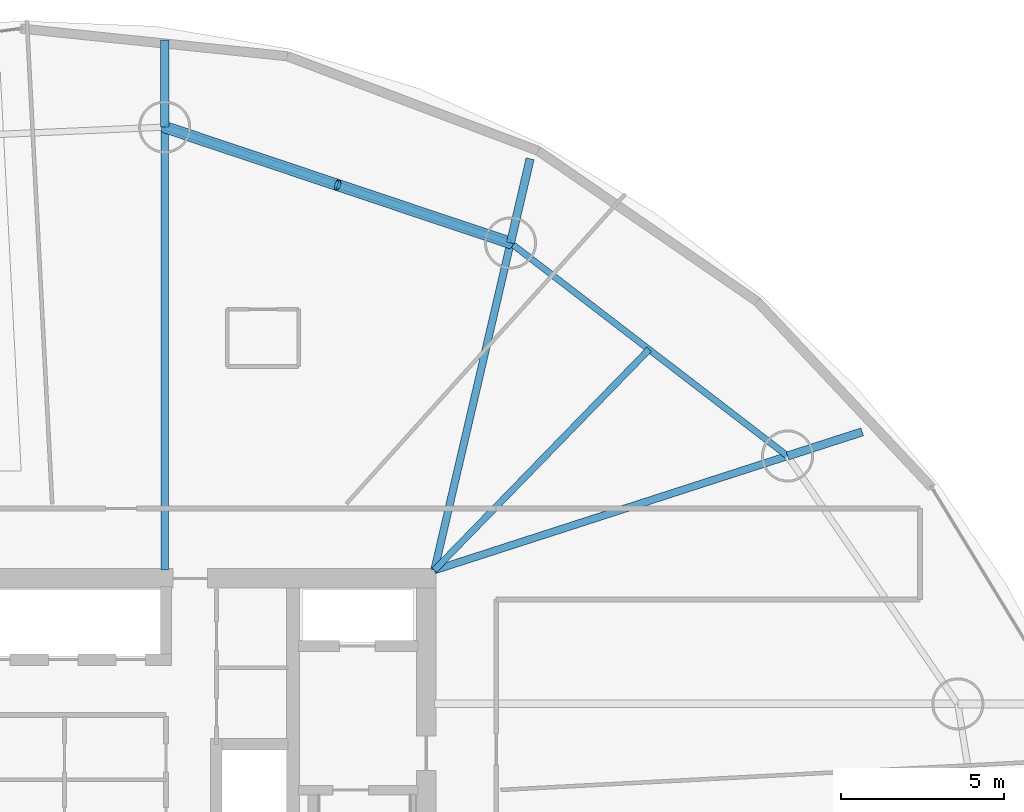
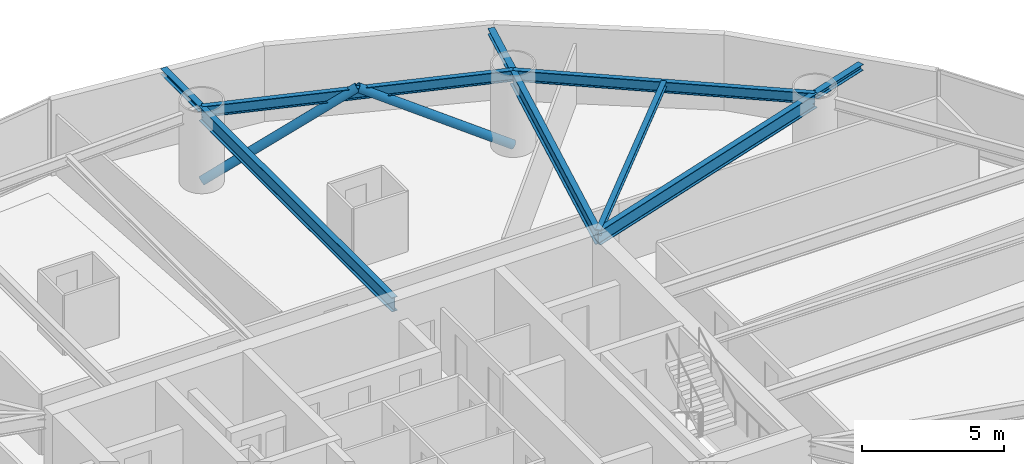
# One storey, part 20 of 30: 9 beams, 2 members.
"""IFC4 building model written with IfcOpenShell, lengths in metres."""

from ifc_helpers import new_model, si_unit, direction, frame, origin, origin_2d, place, context, subcontext, project, spatial, hollow_circle, i_section, extrude, material, material_profile, profile_set, type_object, element, save


model = new_model("IFC4")

# Units and contexts
model_context = context("Model", 3, precision=1e-05, world=origin(), true_north=direction((0.0, 1.0)))
body_context = subcontext(model_context, "Body", "Model", "MODEL_VIEW")
ifc_project = project(units=[si_unit("LENGTHUNIT", "METRE"), si_unit("AREAUNIT", "SQUARE_METRE"), si_unit("VOLUMEUNIT", "CUBIC_METRE"), si_unit("PLANEANGLEUNIT", "RADIAN"), si_unit("MASSUNIT", "GRAM", prefix="KILO")], contexts=[model_context])

# Site, building, storey
site_placement = place(None, origin())
site = spatial("IfcSite", under=ifc_project, at=site_placement, CompositionType="ELEMENT")
building_placement = place(site_placement, origin())
building = spatial("IfcBuilding", under=site, at=building_placement, Name="Bramvorn Convention Spire", CompositionType="ELEMENT")
storey_placement = place(building_placement, frame((0.0, 0.0, 86.89990234375)))
storey = spatial("IfcBuildingStorey", under=building, at=storey_placement, Name="L20", CompositionType="ELEMENT", Elevation=86.89990234375)

# Beams
ifc_material = material(Name="Steel CSA G40.21 Grade 350 (350W)", Category="steel")
ifc_material_profile_1 = material_profile(ifc_material, i_section(OverallWidth=0.201904296875, OverallDepth=0.2470703125, WebThickness=0.00732421875, FlangeThickness=0.010986328125, FilletRadius=0.011962890625, at=origin_2d()))
ifc_profile_set_1 = profile_set([ifc_material_profile_1], Name="Steel CSA G40.21 Grade 350 (350W) - W250X49")
beam_type_1 = type_object("IfcBeamType", Name="BM-W250X49", PredefinedType="JOIST", material=ifc_profile_set_1)
beam_1_placement = place(storey_placement, frame((49.25, 33.449951171875, 3.126708984375), z_axis=(0.697170484005, 0.716905374671, 0.0), x_axis=(-0.716905374671, 0.697170484005, 0.0)))
element("IfcBeam", 1, at=beam_1_placement, inside=storey, type_object=beam_type_1, Name="L20 composite floor joist 03", PredefinedType="JOIST", context=body_context, shape_type="SweptSolid", body=[
    extrude(i_section(OverallWidth=0.201904296875, OverallDepth=0.2470703125, WebThickness=0.00732421875, FlangeThickness=0.010986328125, FilletRadius=0.011962890625, at=origin_2d()), origin(), (0.0, 0.0, 1.0), 9.4638671875),
])
ifc_material_profile_2 = material_profile(ifc_material, i_section(OverallWidth=0.25390625, OverallDepth=0.2529296875, WebThickness=0.008544921875, FlangeThickness=0.01416015625, FilletRadius=0.011962890625, at=origin_2d()))
ifc_profile_set_2 = profile_set([ifc_material_profile_2], Name="Steel CSA G40.21 Grade 350 (350W) - W250X73")
beam_type_2 = type_object("IfcBeamType", Name="BM-W250X73", PredefinedType="BEAM", material=ifc_profile_set_2)
beam_2_placement = place(storey_placement, frame((60.105224609375, 36.960205078125, 3.12353515625), z_axis=(0.951491631437, 0.30767462571, 0.0), x_axis=(-0.30767462571, 0.951491631437, 0.0)))
element("IfcBeam", 2, at=beam_2_placement, inside=storey, type_object=beam_type_2, Name="L20 slab-edge cantilever tip beam MC03", PredefinedType="BEAM", context=body_context, shape_type="SweptSolid", body=[
    extrude(i_section(OverallWidth=0.25390625, OverallDepth=0.2529296875, WebThickness=0.008544921875, FlangeThickness=0.01416015625, FilletRadius=0.011962890625, at=origin_2d()), origin(), (0.0, 0.0, 1.0), 2.409912109375),
])
beam_3_placement = place(storey_placement, frame((51.59033203125, 43.509033203125, 3.12353515625), z_axis=(0.226558123533, 0.973997647154, 0.0), x_axis=(-0.973997647154, 0.226558123533, 0.0)))
element("IfcBeam", 3, at=beam_3_placement, inside=storey, type_object=beam_type_2, Name="L20 slab-edge cantilever tip beam MC04", PredefinedType="BEAM", context=body_context, shape_type="SweptSolid", body=[
    extrude(i_section(OverallWidth=0.25390625, OverallDepth=0.2529296875, WebThickness=0.008544921875, FlangeThickness=0.01416015625, FilletRadius=0.011962890625, at=origin_2d()), origin(), (0.0, 0.0, 1.0), 2.6552734375),
])
beam_4_placement = place(storey_placement, frame((40.9609375, 47.06884765625, 3.12353515625), z_axis=(0.0, 1.0, 0.0), x_axis=(-1.0, 0.0, 0.0)))
element("IfcBeam", 4, at=beam_4_placement, inside=storey, type_object=beam_type_2, Name="L20 slab-edge cantilever tip beam MC05", PredefinedType="BEAM", context=body_context, shape_type="SweptSolid", body=[
    extrude(i_section(OverallWidth=0.25390625, OverallDepth=0.2529296875, WebThickness=0.008544921875, FlangeThickness=0.01416015625, FilletRadius=0.011962890625, at=origin_2d()), origin(), (0.0, 0.0, 1.0), 2.679443359375),
])
ifc_material_profile_3 = material_profile(ifc_material, i_section(OverallWidth=0.194091796875, OverallDepth=0.468994140625, WebThickness=0.0126953125, FlangeThickness=0.0205078125, FilletRadius=0.01806640625, at=origin_2d()))
ifc_profile_set_3 = profile_set([ifc_material_profile_3], Name="Steel CSA G40.21 Grade 350 (350W) - W460X106")
beam_type_3 = type_object("IfcBeamType", Name="BM-W460X106", PredefinedType="SPANDREL", material=ifc_profile_set_3)
beam_5_placement = place(storey_placement, frame((60.105224609375, 36.960205078125, 3.015625), z_axis=(-0.792672990445, 0.609647053809, 0.0), x_axis=(-0.609647053809, -0.792672990445, 0.0)))
element("IfcBeam", 5, at=beam_5_placement, inside=storey, type_object=beam_type_3, Name="L20 mega-column ring beam 03", PredefinedType="SPANDREL", context=body_context, shape_type="SweptSolid", body=[
    extrude(i_section(OverallWidth=0.194091796875, OverallDepth=0.468994140625, WebThickness=0.0126953125, FlangeThickness=0.0205078125, FilletRadius=0.01806640625, at=origin_2d()), origin(), (0.0, 0.0, 1.0), 10.741943359375),
])
beam_6_placement = place(storey_placement, frame((51.59033203125, 43.509033203125, 3.015625), z_axis=(-0.948235872727, 0.317566890078, 0.0), x_axis=(-0.317566890078, -0.948235872727, 0.0)))
element("IfcBeam", 6, at=beam_6_placement, inside=storey, type_object=beam_type_3, Name="L20 mega-column ring beam 04", PredefinedType="SPANDREL", context=body_context, shape_type="SweptSolid", body=[
    extrude(i_section(OverallWidth=0.194091796875, OverallDepth=0.468994140625, WebThickness=0.0126953125, FlangeThickness=0.0205078125, FilletRadius=0.01806640625, at=origin_2d()), origin(), (0.0, 0.0, 1.0), 11.209716796875),
])
ifc_material_profile_4 = material_profile(ifc_material, i_section(OverallWidth=0.22998046875, OverallDepth=0.616943359375, WebThickness=0.01318359375, FlangeThickness=0.022216796875, FilletRadius=0.02001953125, at=origin_2d()))
ifc_profile_set_4 = profile_set([ifc_material_profile_4], Name="Steel CSA G40.21 Grade 350 (350W) - W610X140")
beam_type_4 = type_object("IfcBeamType", Name="BM-W610X140", PredefinedType="BEAM", material=ifc_profile_set_4)
beam_7_placement = place(storey_placement, frame((49.25, 33.449951171875, 2.941650390625), z_axis=(0.951488933275, 0.307682969719, 0.0), x_axis=(-0.307682969719, 0.951488933275, 0.0)))
element("IfcBeam", 7, at=beam_7_placement, inside=storey, type_object=beam_type_4, Name="L20 radial floor girder MC03", PredefinedType="BEAM", context=body_context, shape_type="SweptSolid", body=[
    extrude(i_section(OverallWidth=0.22998046875, OverallDepth=0.616943359375, WebThickness=0.01318359375, FlangeThickness=0.022216796875, FilletRadius=0.02001953125, at=origin_2d()), origin(), (0.0, 0.0, 1.0), 11.40869140625),
])
beam_8_placement = place(storey_placement, frame((49.25, 33.449951171875, 2.941650390625), z_axis=(0.226606328522, 0.973986433106, 0.0), x_axis=(-0.973986433106, 0.226606328522, 0.0)))
element("IfcBeam", 8, at=beam_8_placement, inside=storey, type_object=beam_type_4, Name="L20 radial floor girder MC04", PredefinedType="BEAM", context=body_context, shape_type="SweptSolid", body=[
    extrude(i_section(OverallWidth=0.22998046875, OverallDepth=0.616943359375, WebThickness=0.01318359375, FlangeThickness=0.022216796875, FilletRadius=0.02001953125, at=origin_2d()), origin(), (0.0, 0.0, 1.0), 10.32763671875),
])
beam_9_placement = place(storey_placement, frame((40.9609375, 33.449951171875, 2.941650390625), z_axis=(0.0, 1.0, 0.0), x_axis=(-1.0, 0.0, 0.0)))
element("IfcBeam", 9, at=beam_9_placement, inside=storey, type_object=beam_type_4, Name="L20 radial floor girder MC05", PredefinedType="BEAM", context=body_context, shape_type="SweptSolid", body=[
    extrude(i_section(OverallWidth=0.22998046875, OverallDepth=0.616943359375, WebThickness=0.01318359375, FlangeThickness=0.022216796875, FilletRadius=0.02001953125, at=origin_2d()), origin(), (0.0, 0.0, 1.0), 13.618896484375),
])

# Members
ifc_material_profile_5 = material_profile(ifc_material, hollow_circle(Radius=0.177734375, WallThickness=0.015869140625, at=origin_2d()))
ifc_profile_set_5 = profile_set([ifc_material_profile_5], Name="Steel CSA G40.21 Grade 350 (350W) - CHS356X16")
member_type = type_object("IfcMemberType", Name="MBR-CHS356X16", PredefinedType="BRACE", material=ifc_profile_set_5)
for number, where, z_axis, x_axis, name in (
    (10, (51.59033203125, 43.509033203125, 0.0), (-0.820300118259, 0.274739683138, 0.501623187756), (-0.31758647294, -0.948229314146, 0.0), "L20 perimeter Gothic lancet brace 4A"),
    (11, (40.9609375, 47.06884765625, 0.0), (0.820308610169, -0.274704844877, 0.501628380659), (0.31754730681, 0.948242430994, 0.0), "L20 perimeter Gothic lancet brace 4B"),
):
    element("IfcMember", number, at=place(storey_placement, frame(where, z_axis=z_axis, x_axis=x_axis)), inside=storey, type_object=member_type, Name=name, PredefinedType="BRACE", context=body_context, shape_type="SweptSolid", body=[
        extrude(hollow_circle(Radius=0.177734375, WallThickness=0.015869140625, at=origin_2d()), origin(), (0.0, 0.0, 1.0), 6.47900390625),
    ])

save(model, "model.ifc")
